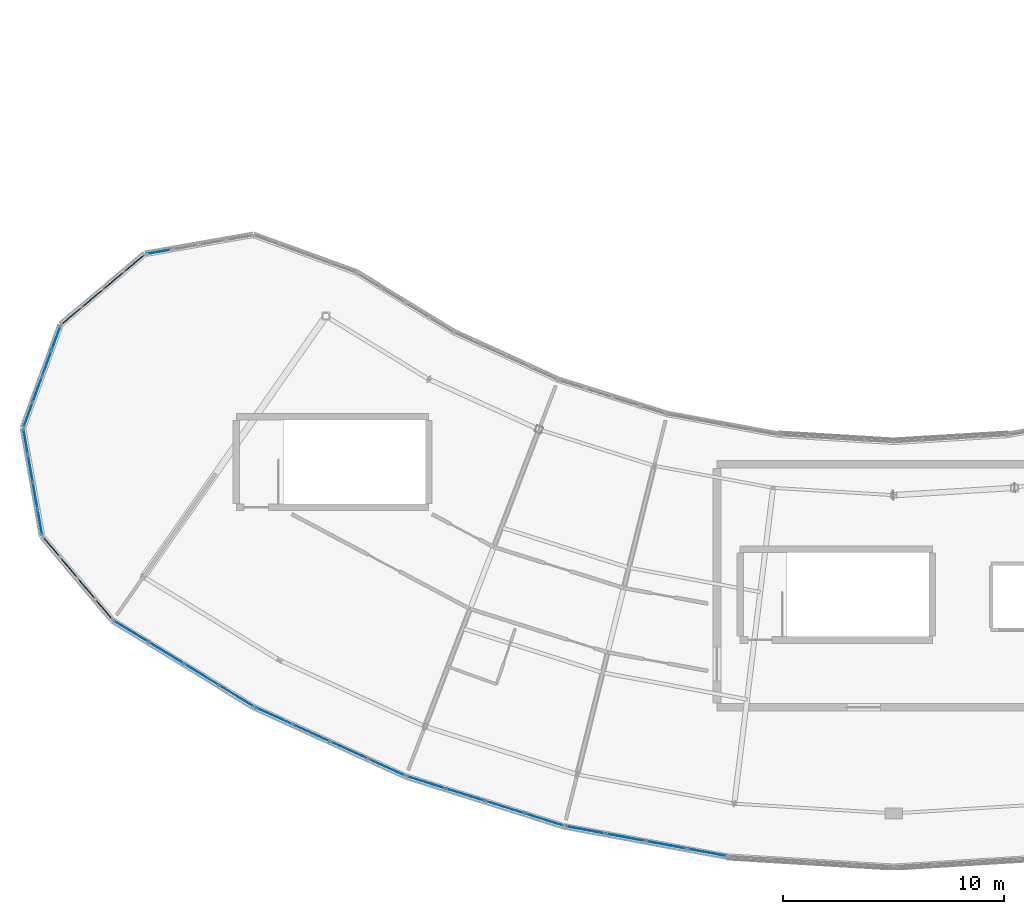
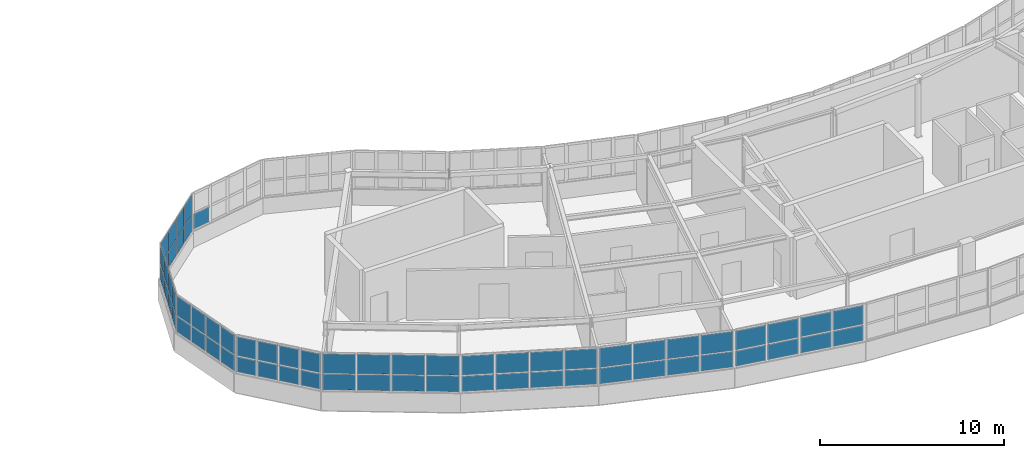
# One storey, part 37 of 60: 65 plates, 9 elements without a shape of their own.
"""IFC4 building model written with IfcOpenShell, lengths in metres."""

from ifc_helpers import new_model, si_unit, direction, frame, origin, origin_2d, place, context, subcontext, project, spatial, rectangle, extrude, material, layer, layer_set, type_object, element, aggregate, save


model = new_model("IFC4")

# Units and contexts
model_context = context("Model", 3, precision=1e-05, world=origin(), true_north=direction((0.0, 1.0)))
body_context = subcontext(model_context, "Body", "Model", "MODEL_VIEW")
ifc_project = project(units=[si_unit("LENGTHUNIT", "METRE"), si_unit("AREAUNIT", "SQUARE_METRE"), si_unit("VOLUMEUNIT", "CUBIC_METRE"), si_unit("PLANEANGLEUNIT", "RADIAN"), si_unit("MASSUNIT", "GRAM", prefix="KILO")], contexts=[model_context])

# Site, building, storey
site_placement = place(None, origin())
site = spatial("IfcSite", under=ifc_project, at=site_placement, CompositionType="ELEMENT")
building_placement = place(site_placement, origin())
building = spatial("IfcBuilding", under=site, at=building_placement, Name="Tarnwether General Hospital", CompositionType="ELEMENT")
storey_placement = place(building_placement, frame((0.0, 0.0, 26.10009765625)))
storey = spatial("IfcBuildingStorey", under=building, at=storey_placement, Name="L06", CompositionType="ELEMENT", Elevation=26.10009765625)

# Curtain wall, plates
ifc_material_1 = material(Name="Anodised aluminium", Category="aluminium")
ifc_layer_1 = layer(ifc_material_1, 0.179931640625)
ifc_layer_set_1 = layer_set([ifc_layer_1], Name="Anodised aluminium")
curtain_wall_type_1 = type_object("IfcCurtainWallType", Name="CW-11", PredefinedType="NOTDEFINED", material=ifc_layer_set_1)
curtain_wall_1_placement = place(storey_placement, origin())
curtain_wall_1 = element("IfcCurtainWall", 1, at=curtain_wall_1_placement, inside=storey, type_object=curtain_wall_type_1, Name="Curtain Wall CWG-L06-699_55-0246", PredefinedType="NOTDEFINED")
ifc_material_2 = material(Name="Double glazed low-E glass", Category="glass")
ifc_layer_2 = layer(ifc_material_2, 0.028076171875)
ifc_layer_set_2 = layer_set([ifc_layer_2], Name="Double glazed low-E glass")
plate_type_1 = type_object("IfcPlateType", Name="PT-CWP1", PredefinedType="CURTAIN_PANEL", material=ifc_layer_set_2)
plate_1_placement = place(storey_placement, frame((69.053466796875, 5.88818359375, 1.1201171875), z_axis=(0.0, 0.0, 1.0), x_axis=(-0.909960793886, 0.414694289316, 0.0)))
plate_1 = element("IfcPlate", 2, at=plate_1_placement, type_object=plate_type_1, Name="CW-11 panel 1.1", PredefinedType="CURTAIN_PANEL", context=body_context, shape_type="SweptSolid", body=[
    extrude(rectangle(XDim=1.775390625, YDim=0.028076171875, at=origin_2d()), origin(), (0.0, 0.0, 1.0), 1.017822265625),
])
plate_2_placement = place(storey_placement, frame((69.053466796875, 5.88818359375, 2.207763671875), z_axis=(0.0, 0.0, 1.0), x_axis=(-0.909960793886, 0.414694289316, 0.0)))
plate_2 = element("IfcPlate", 3, at=plate_2_placement, type_object=plate_type_1, Name="CW-11 panel 1.2", PredefinedType="CURTAIN_PANEL", context=body_context, shape_type="SweptSolid", body=[
    extrude(rectangle(XDim=1.775390625, YDim=0.028076171875, at=origin_2d()), origin(), (0.0, 0.0, 1.0), 1.26708984375),
])
plate_3_placement = place(storey_placement, frame((67.3583984375, 6.66064453125, 1.1201171875), z_axis=(0.0, 0.0, 1.0), x_axis=(-0.909960793886, 0.414694289316, 0.0)))
plate_3 = element("IfcPlate", 4, at=plate_3_placement, type_object=plate_type_1, Name="CW-11 panel 2.1", PredefinedType="CURTAIN_PANEL", context=body_context, shape_type="SweptSolid", body=[
    extrude(rectangle(XDim=1.810302734375, YDim=0.028076171875, at=origin_2d()), origin(), (0.0, 0.0, 1.0), 1.017822265625),
])
plate_4_placement = place(storey_placement, frame((67.3583984375, 6.66064453125, 2.207763671875), z_axis=(0.0, 0.0, 1.0), x_axis=(-0.909960793886, 0.414694289316, 0.0)))
plate_4 = element("IfcPlate", 5, at=plate_4_placement, type_object=plate_type_1, Name="CW-11 panel 2.2", PredefinedType="CURTAIN_PANEL", context=body_context, shape_type="SweptSolid", body=[
    extrude(rectangle(XDim=1.810302734375, YDim=0.028076171875, at=origin_2d()), origin(), (0.0, 0.0, 1.0), 1.26708984375),
])
plate_5_placement = place(storey_placement, frame((65.6474609375, 7.4404296875, 1.1201171875), z_axis=(0.0, 0.0, 1.0), x_axis=(-0.909960793886, 0.414694289316, 0.0)))
plate_5 = element("IfcPlate", 6, at=plate_5_placement, type_object=plate_type_1, Name="CW-11 panel 3.1", PredefinedType="CURTAIN_PANEL", context=body_context, shape_type="SweptSolid", body=[
    extrude(rectangle(XDim=1.810302734375, YDim=0.028076171875, at=origin_2d()), origin(), (0.0, 0.0, 1.0), 1.017822265625),
])
plate_6_placement = place(storey_placement, frame((65.6474609375, 7.4404296875, 2.207763671875), z_axis=(0.0, 0.0, 1.0), x_axis=(-0.909960793886, 0.414694289316, 0.0)))
plate_6 = element("IfcPlate", 7, at=plate_6_placement, type_object=plate_type_1, Name="CW-11 panel 3.2", PredefinedType="CURTAIN_PANEL", context=body_context, shape_type="SweptSolid", body=[
    extrude(rectangle(XDim=1.810302734375, YDim=0.028076171875, at=origin_2d()), origin(), (0.0, 0.0, 1.0), 1.26708984375),
])
plate_7_placement = place(storey_placement, frame((63.952392578125, 8.212890625, 1.1201171875), z_axis=(0.0, 0.0, 1.0), x_axis=(-0.909960793886, 0.414694289316, 0.0)))
plate_7 = element("IfcPlate", 8, at=plate_7_placement, type_object=plate_type_1, Name="CW-11 panel 4.1", PredefinedType="CURTAIN_PANEL", context=body_context, shape_type="SweptSolid", body=[
    extrude(rectangle(XDim=1.775390625, YDim=0.028076171875, at=origin_2d()), origin(), (0.0, 0.0, 1.0), 1.017822265625),
])
plate_8_placement = place(storey_placement, frame((63.952392578125, 8.212890625, 2.207763671875), z_axis=(0.0, 0.0, 1.0), x_axis=(-0.909960793886, 0.414694289316, 0.0)))
plate_8 = element("IfcPlate", 9, at=plate_8_placement, type_object=plate_type_1, Name="CW-11 panel 4.2", PredefinedType="CURTAIN_PANEL", context=body_context, shape_type="SweptSolid", body=[
    extrude(rectangle(XDim=1.775390625, YDim=0.028076171875, at=origin_2d()), origin(), (0.0, 0.0, 1.0), 1.26708984375),
])
aggregate(curtain_wall_1, [plate_1, plate_2, plate_3, plate_4, plate_5, plate_6, plate_7, plate_8])

curtain_wall_2_placement = place(storey_placement, origin())
curtain_wall_2 = element("IfcCurtainWall", 10, at=curtain_wall_2_placement, inside=storey, type_object=curtain_wall_type_1, Name="Curtain Wall CWG-L06-771_32-0247", PredefinedType="NOTDEFINED")
plate_9_placement = place(storey_placement, frame((76.185791015625, 3.517578125, 1.11474609375), z_axis=(0.0, 0.0, 1.0), x_axis=(-0.953741284032, 0.300628613299, 0.0)))
plate_9 = element("IfcPlate", 11, at=plate_9_placement, type_object=plate_type_1, Name="CW-11 panel 1.1", PredefinedType="CURTAIN_PANEL", context=body_context, shape_type="SweptSolid", body=[
    extrude(rectangle(XDim=1.78271484375, YDim=0.028076171875, at=origin_2d()), origin(), (0.0, 0.0, 1.0), 1.025390625),
])
plate_10_placement = place(storey_placement, frame((76.185791015625, 3.517578125, 2.205078125), z_axis=(0.0, 0.0, 1.0), x_axis=(-0.953741284032, 0.300628613299, 0.0)))
plate_10 = element("IfcPlate", 12, at=plate_10_placement, type_object=plate_type_1, Name="CW-11 panel 1.2", PredefinedType="CURTAIN_PANEL", context=body_context, shape_type="SweptSolid", body=[
    extrude(rectangle(XDim=1.78271484375, YDim=0.028076171875, at=origin_2d()), origin(), (0.0, 0.0, 1.0), 1.274658203125),
])
plate_11_placement = place(storey_placement, frame((74.408203125, 4.077880859375, 1.11474609375), z_axis=(0.0, 0.0, 1.0), x_axis=(-0.953741284032, 0.300628613299, 0.0)))
plate_11 = element("IfcPlate", 13, at=plate_11_placement, type_object=plate_type_1, Name="CW-11 panel 2.1", PredefinedType="CURTAIN_PANEL", context=body_context, shape_type="SweptSolid", body=[
    extrude(rectangle(XDim=1.815185546875, YDim=0.028076171875, at=origin_2d()), origin(), (0.0, 0.0, 1.0), 1.025390625),
])
plate_12_placement = place(storey_placement, frame((74.408203125, 4.077880859375, 2.205078125), z_axis=(0.0, 0.0, 1.0), x_axis=(-0.953741284032, 0.300628613299, 0.0)))
plate_12 = element("IfcPlate", 14, at=plate_12_placement, type_object=plate_type_1, Name="CW-11 panel 2.2", PredefinedType="CURTAIN_PANEL", context=body_context, shape_type="SweptSolid", body=[
    extrude(rectangle(XDim=1.815185546875, YDim=0.028076171875, at=origin_2d()), origin(), (0.0, 0.0, 1.0), 1.274658203125),
])
plate_13_placement = place(storey_placement, frame((72.614990234375, 4.64306640625, 1.11474609375), z_axis=(0.0, 0.0, 1.0), x_axis=(-0.953741284032, 0.300628613299, 0.0)))
plate_13 = element("IfcPlate", 15, at=plate_13_placement, type_object=plate_type_1, Name="CW-11 panel 3.1", PredefinedType="CURTAIN_PANEL", context=body_context, shape_type="SweptSolid", body=[
    extrude(rectangle(XDim=1.815185546875, YDim=0.028076171875, at=origin_2d()), origin(), (0.0, 0.0, 1.0), 1.025390625),
])
plate_14_placement = place(storey_placement, frame((72.614990234375, 4.64306640625, 2.205078125), z_axis=(0.0, 0.0, 1.0), x_axis=(-0.953741284032, 0.300628613299, 0.0)))
plate_14 = element("IfcPlate", 16, at=plate_14_placement, type_object=plate_type_1, Name="CW-11 panel 3.2", PredefinedType="CURTAIN_PANEL", context=body_context, shape_type="SweptSolid", body=[
    extrude(rectangle(XDim=1.815185546875, YDim=0.028076171875, at=origin_2d()), origin(), (0.0, 0.0, 1.0), 1.274658203125),
])
plate_15_placement = place(storey_placement, frame((70.837158203125, 5.203369140625, 1.11474609375), z_axis=(0.0, 0.0, 1.0), x_axis=(-0.953741284032, 0.300628613299, 0.0)))
plate_15 = element("IfcPlate", 17, at=plate_15_placement, type_object=plate_type_1, Name="CW-11 panel 4.1", PredefinedType="CURTAIN_PANEL", context=body_context, shape_type="SweptSolid", body=[
    extrude(rectangle(XDim=1.78271484375, YDim=0.028076171875, at=origin_2d()), origin(), (0.0, 0.0, 1.0), 1.025390625),
])
plate_16_placement = place(storey_placement, frame((70.837158203125, 5.203369140625, 2.205078125), z_axis=(0.0, 0.0, 1.0), x_axis=(-0.953741284032, 0.300628613299, 0.0)))
plate_16 = element("IfcPlate", 18, at=plate_16_placement, type_object=plate_type_1, Name="CW-11 panel 4.2", PredefinedType="CURTAIN_PANEL", context=body_context, shape_type="SweptSolid", body=[
    extrude(rectangle(XDim=1.78271484375, YDim=0.028076171875, at=origin_2d()), origin(), (0.0, 0.0, 1.0), 1.274658203125),
])
aggregate(curtain_wall_2, [plate_9, plate_10, plate_11, plate_12, plate_13, plate_14, plate_15, plate_16])

# Curtain wall, plate
ifc_material_3 = material(Name="Anodised aluminium", Category="aluminium")
ifc_layer_3 = layer(ifc_material_3, 0.159912109375)
ifc_layer_set_3 = layer_set([ifc_layer_3], Name="Anodised aluminium")
curtain_wall_type_2 = type_object("IfcCurtainWallType", Name="CW-03", PredefinedType="NOTDEFINED", material=ifc_layer_set_3)
curtain_wall_3_placement = place(storey_placement, origin())
curtain_wall_3 = element("IfcCurtainWall", 19, at=curtain_wall_3_placement, inside=storey, type_object=curtain_wall_type_2, Name="Curtain Wall CWG-L06-581_291-0268", PredefinedType="NOTDEFINED")
plate_17_placement = place(storey_placement, frame((58.74853515625, 29.21630859375, 1.1298828125), z_axis=(0.0, 0.0, 1.0), x_axis=(0.984805834268, 0.173659059054, 0.0)))
plate_17 = element("IfcPlate", 20, at=plate_17_placement, type_object=plate_type_1, Name="CW-03 panel 1.1", PredefinedType="CURTAIN_PANEL", context=body_context, shape_type="SweptSolid", body=[
    extrude(rectangle(XDim=1.122314453125, YDim=0.028076171875, at=origin_2d()), origin(), (0.0, 0.0, 1.0), 1.002685546875),
])
aggregate(curtain_wall_3, [plate_17])

# Curtain wall, plates
curtain_wall_4_placement = place(storey_placement, origin())
curtain_wall_4 = element("IfcCurtainWall", 21, at=curtain_wall_4_placement, inside=storey, type_object=curtain_wall_type_2, Name="Curtain Wall CWG-L06-526_212-0270", PredefinedType="NOTDEFINED")
plate_18_placement = place(storey_placement, frame((52.829345703125, 21.841064453125, 1.1201171875), z_axis=(0.0, 0.0, 1.0), x_axis=(0.341953136469, 0.939717006582, 0.0)))
plate_18 = element("IfcPlate", 22, at=plate_18_placement, type_object=plate_type_1, Name="CW-03 panel 1.1", PredefinedType="CURTAIN_PANEL", context=body_context, shape_type="SweptSolid", body=[
    extrude(rectangle(XDim=1.13720703125, YDim=0.028076171875, at=origin_2d()), origin(), (0.0, 0.0, 1.0), 1.017822265625),
])
plate_19_placement = place(storey_placement, frame((52.829345703125, 21.841064453125, 2.207763671875), z_axis=(0.0, 0.0, 1.0), x_axis=(0.341953136469, 0.939717006582, 0.0)))
plate_19 = element("IfcPlate", 23, at=plate_19_placement, type_object=plate_type_1, Name="CW-03 panel 1.2", PredefinedType="CURTAIN_PANEL", context=body_context, shape_type="SweptSolid", body=[
    extrude(rectangle(XDim=1.13720703125, YDim=0.028076171875, at=origin_2d()), origin(), (0.0, 0.0, 1.0), 1.26708984375),
])
plate_20_placement = place(storey_placement, frame((53.248046875, 22.991943359375, 1.1201171875), z_axis=(0.0, 0.0, 1.0), x_axis=(0.341953136469, 0.939717006582, 0.0)))
plate_20 = element("IfcPlate", 24, at=plate_20_placement, type_object=plate_type_1, Name="CW-03 panel 2.1", PredefinedType="CURTAIN_PANEL", context=body_context, shape_type="SweptSolid", body=[
    extrude(rectangle(XDim=1.172119140625, YDim=0.028076171875, at=origin_2d()), origin(), (0.0, 0.0, 1.0), 1.017822265625),
])
plate_21_placement = place(storey_placement, frame((53.248046875, 22.991943359375, 2.207763671875), z_axis=(0.0, 0.0, 1.0), x_axis=(0.341953136469, 0.939717006582, 0.0)))
plate_21 = element("IfcPlate", 25, at=plate_21_placement, type_object=plate_type_1, Name="CW-03 panel 2.2", PredefinedType="CURTAIN_PANEL", context=body_context, shape_type="SweptSolid", body=[
    extrude(rectangle(XDim=1.172119140625, YDim=0.028076171875, at=origin_2d()), origin(), (0.0, 0.0, 1.0), 1.26708984375),
])
plate_22_placement = place(storey_placement, frame((53.6728515625, 24.1591796875, 1.1201171875), z_axis=(0.0, 0.0, 1.0), x_axis=(0.341953136469, 0.939717006582, 0.0)))
plate_22 = element("IfcPlate", 26, at=plate_22_placement, type_object=plate_type_1, Name="CW-03 panel 3.1", PredefinedType="CURTAIN_PANEL", context=body_context, shape_type="SweptSolid", body=[
    extrude(rectangle(XDim=1.172119140625, YDim=0.028076171875, at=origin_2d()), origin(), (0.0, 0.0, 1.0), 1.017822265625),
])
plate_23_placement = place(storey_placement, frame((53.6728515625, 24.1591796875, 2.207763671875), z_axis=(0.0, 0.0, 1.0), x_axis=(0.341953136469, 0.939717006582, 0.0)))
plate_23 = element("IfcPlate", 27, at=plate_23_placement, type_object=plate_type_1, Name="CW-03 panel 3.2", PredefinedType="CURTAIN_PANEL", context=body_context, shape_type="SweptSolid", body=[
    extrude(rectangle(XDim=1.172119140625, YDim=0.028076171875, at=origin_2d()), origin(), (0.0, 0.0, 1.0), 1.26708984375),
])
plate_24_placement = place(storey_placement, frame((54.091552734375, 25.309814453125, 1.1201171875), z_axis=(0.0, 0.0, 1.0), x_axis=(0.341953136469, 0.939717006582, 0.0)))
plate_24 = element("IfcPlate", 28, at=plate_24_placement, type_object=plate_type_1, Name="CW-03 panel 4.1", PredefinedType="CURTAIN_PANEL", context=body_context, shape_type="SweptSolid", body=[
    extrude(rectangle(XDim=1.13720703125, YDim=0.028076171875, at=origin_2d()), origin(), (0.0, 0.0, 1.0), 1.017822265625),
])
plate_25_placement = place(storey_placement, frame((54.091552734375, 25.309814453125, 2.207763671875), z_axis=(0.0, 0.0, 1.0), x_axis=(0.341953136469, 0.939717006582, 0.0)))
plate_25 = element("IfcPlate", 29, at=plate_25_placement, type_object=plate_type_1, Name="CW-03 panel 4.2", PredefinedType="CURTAIN_PANEL", context=body_context, shape_type="SweptSolid", body=[
    extrude(rectangle(XDim=1.13720703125, YDim=0.028076171875, at=origin_2d()), origin(), (0.0, 0.0, 1.0), 1.26708984375),
])
aggregate(curtain_wall_4, [plate_18, plate_19, plate_20, plate_21, plate_22, plate_23, plate_24, plate_25])

curtain_wall_5_placement = place(storey_placement, origin())
curtain_wall_5 = element("IfcCurtainWall", 30, at=curtain_wall_5_placement, inside=storey, type_object=curtain_wall_type_2, Name="Curtain Wall CWG-L06-535_163-0271", PredefinedType="NOTDEFINED")
plate_26_placement = place(storey_placement, frame((53.362548828125, 16.974853515625, 1.11474609375), z_axis=(0.0, 0.0, 1.0), x_axis=(-0.173463890135, 0.984840230098, 0.0)))
plate_26 = element("IfcPlate", 31, at=plate_26_placement, type_object=plate_type_1, Name="CW-03 panel 1.1", PredefinedType="CURTAIN_PANEL", context=body_context, shape_type="SweptSolid", body=[
    extrude(rectangle(XDim=1.144775390625, YDim=0.028076171875, at=origin_2d()), origin(), (0.0, 0.0, 1.0), 1.025390625),
])
plate_27_placement = place(storey_placement, frame((53.362548828125, 16.974853515625, 2.205078125), z_axis=(0.0, 0.0, 1.0), x_axis=(-0.173463890135, 0.984840230098, 0.0)))
plate_27 = element("IfcPlate", 32, at=plate_27_placement, type_object=plate_type_1, Name="CW-03 panel 1.2", PredefinedType="CURTAIN_PANEL", context=body_context, shape_type="SweptSolid", body=[
    extrude(rectangle(XDim=1.144775390625, YDim=0.028076171875, at=origin_2d()), origin(), (0.0, 0.0, 1.0), 1.274658203125),
])
plate_28_placement = place(storey_placement, frame((53.149658203125, 18.18212890625, 1.11474609375), z_axis=(0.0, 0.0, 1.0), x_axis=(-0.173463890135, 0.984840230098, 0.0)))
plate_28 = element("IfcPlate", 33, at=plate_28_placement, type_object=plate_type_1, Name="CW-03 panel 2.1", PredefinedType="CURTAIN_PANEL", context=body_context, shape_type="SweptSolid", body=[
    extrude(rectangle(XDim=1.17724609375, YDim=0.028076171875, at=origin_2d()), origin(), (0.0, 0.0, 1.0), 1.025390625),
])
plate_29_placement = place(storey_placement, frame((53.149658203125, 18.18212890625, 2.205078125), z_axis=(0.0, 0.0, 1.0), x_axis=(-0.173463890135, 0.984840230098, 0.0)))
plate_29 = element("IfcPlate", 34, at=plate_29_placement, type_object=plate_type_1, Name="CW-03 panel 2.2", PredefinedType="CURTAIN_PANEL", context=body_context, shape_type="SweptSolid", body=[
    extrude(rectangle(XDim=1.17724609375, YDim=0.028076171875, at=origin_2d()), origin(), (0.0, 0.0, 1.0), 1.274658203125),
])
plate_30_placement = place(storey_placement, frame((52.934326171875, 19.40576171875, 1.11474609375), z_axis=(0.0, 0.0, 1.0), x_axis=(-0.173463890135, 0.984840230098, 0.0)))
plate_30 = element("IfcPlate", 35, at=plate_30_placement, type_object=plate_type_1, Name="CW-03 panel 3.1", PredefinedType="CURTAIN_PANEL", context=body_context, shape_type="SweptSolid", body=[
    extrude(rectangle(XDim=1.17724609375, YDim=0.028076171875, at=origin_2d()), origin(), (0.0, 0.0, 1.0), 1.025390625),
])
plate_31_placement = place(storey_placement, frame((52.934326171875, 19.40576171875, 2.205078125), z_axis=(0.0, 0.0, 1.0), x_axis=(-0.173463890135, 0.984840230098, 0.0)))
plate_31 = element("IfcPlate", 36, at=plate_31_placement, type_object=plate_type_1, Name="CW-03 panel 3.2", PredefinedType="CURTAIN_PANEL", context=body_context, shape_type="SweptSolid", body=[
    extrude(rectangle(XDim=1.17724609375, YDim=0.028076171875, at=origin_2d()), origin(), (0.0, 0.0, 1.0), 1.274658203125),
])
plate_32_placement = place(storey_placement, frame((52.7216796875, 20.61328125, 1.11474609375), z_axis=(0.0, 0.0, 1.0), x_axis=(-0.173463890135, 0.984840230098, 0.0)))
plate_32 = element("IfcPlate", 37, at=plate_32_placement, type_object=plate_type_1, Name="CW-03 panel 4.1", PredefinedType="CURTAIN_PANEL", context=body_context, shape_type="SweptSolid", body=[
    extrude(rectangle(XDim=1.144775390625, YDim=0.028076171875, at=origin_2d()), origin(), (0.0, 0.0, 1.0), 1.025390625),
])
plate_33_placement = place(storey_placement, frame((52.7216796875, 20.61328125, 2.205078125), z_axis=(0.0, 0.0, 1.0), x_axis=(-0.173463890135, 0.984840230098, 0.0)))
plate_33 = element("IfcPlate", 38, at=plate_33_placement, type_object=plate_type_1, Name="CW-03 panel 4.2", PredefinedType="CURTAIN_PANEL", context=body_context, shape_type="SweptSolid", body=[
    extrude(rectangle(XDim=1.144775390625, YDim=0.028076171875, at=origin_2d()), origin(), (0.0, 0.0, 1.0), 1.274658203125),
])
aggregate(curtain_wall_5, [plate_26, plate_27, plate_28, plate_29, plate_30, plate_31, plate_32, plate_33])

curtain_wall_6_placement = place(storey_placement, origin())
curtain_wall_6 = element("IfcCurtainWall", 39, at=curtain_wall_6_placement, inside=storey, type_object=curtain_wall_type_1, Name="Curtain Wall CWG-L06-631_86-0245", PredefinedType="NOTDEFINED")
ifc_material_4 = material(Name="Double glazed low-E glass", Category="glass")
ifc_layer_4 = layer(ifc_material_4, 0.035888671875)
ifc_layer_set_4 = layer_set([ifc_layer_4], Name="Double glazed low-E glass")
plate_type_2 = type_object("IfcPlateType", Name="PT-CWP2", PredefinedType="CURTAIN_PANEL", material=ifc_layer_set_4)
plate_34_placement = place(storey_placement, frame((62.2666015625, 9.109130859375, 1.10986328125), z_axis=(0.0, 0.0, 1.0), x_axis=(-0.852633734977, 0.522509056361, 0.0)))
plate_34 = element("IfcPlate", 40, at=plate_34_placement, type_object=plate_type_2, Name="CW-11 panel 1.1", PredefinedType="CURTAIN_PANEL", context=body_context, shape_type="SweptSolid", body=[
    extrude(rectangle(XDim=1.790283203125, YDim=0.035888671875, at=origin_2d()), origin(), (0.0, 0.0, 1.0), 1.03271484375),
])
plate_35_placement = place(storey_placement, frame((62.2666015625, 9.109130859375, 2.20263671875), z_axis=(0.0, 0.0, 1.0), x_axis=(-0.852633734977, 0.522509056361, 0.0)))
plate_35 = element("IfcPlate", 41, at=plate_35_placement, type_object=plate_type_2, Name="CW-11 panel 1.2", PredefinedType="CURTAIN_PANEL", context=body_context, shape_type="SweptSolid", body=[
    extrude(rectangle(XDim=1.790283203125, YDim=0.035888671875, at=origin_2d()), origin(), (0.0, 0.0, 1.0), 1.2822265625),
])
plate_36_placement = place(storey_placement, frame((60.676025390625, 10.083740234375, 1.10986328125), z_axis=(0.0, 0.0, 1.0), x_axis=(-0.852633734977, 0.522509056361, 0.0)))
plate_36 = element("IfcPlate", 42, at=plate_36_placement, type_object=plate_type_2, Name="CW-11 panel 2.1", PredefinedType="CURTAIN_PANEL", context=body_context, shape_type="SweptSolid", body=[
    extrude(rectangle(XDim=1.8203125, YDim=0.035888671875, at=origin_2d()), origin(), (0.0, 0.0, 1.0), 1.03271484375),
])
plate_37_placement = place(storey_placement, frame((60.676025390625, 10.083740234375, 2.20263671875), z_axis=(0.0, 0.0, 1.0), x_axis=(-0.852633734977, 0.522509056361, 0.0)))
plate_37 = element("IfcPlate", 43, at=plate_37_placement, type_object=plate_type_2, Name="CW-11 panel 2.2", PredefinedType="CURTAIN_PANEL", context=body_context, shape_type="SweptSolid", body=[
    extrude(rectangle(XDim=1.8203125, YDim=0.035888671875, at=origin_2d()), origin(), (0.0, 0.0, 1.0), 1.2822265625),
])
plate_38_placement = place(storey_placement, frame((59.07275390625, 11.066162109375, 1.10986328125), z_axis=(0.0, 0.0, 1.0), x_axis=(-0.852633734977, 0.522509056361, 0.0)))
plate_38 = element("IfcPlate", 44, at=plate_38_placement, type_object=plate_type_2, Name="CW-11 panel 3.1", PredefinedType="CURTAIN_PANEL", context=body_context, shape_type="SweptSolid", body=[
    extrude(rectangle(XDim=1.8203125, YDim=0.035888671875, at=origin_2d()), origin(), (0.0, 0.0, 1.0), 1.03271484375),
])
plate_39_placement = place(storey_placement, frame((59.07275390625, 11.066162109375, 2.20263671875), z_axis=(0.0, 0.0, 1.0), x_axis=(-0.852633734977, 0.522509056361, 0.0)))
plate_39 = element("IfcPlate", 45, at=plate_39_placement, type_object=plate_type_2, Name="CW-11 panel 3.2", PredefinedType="CURTAIN_PANEL", context=body_context, shape_type="SweptSolid", body=[
    extrude(rectangle(XDim=1.8203125, YDim=0.035888671875, at=origin_2d()), origin(), (0.0, 0.0, 1.0), 1.2822265625),
])
plate_40_placement = place(storey_placement, frame((57.482421875, 12.041015625, 1.10986328125), z_axis=(0.0, 0.0, 1.0), x_axis=(-0.852633734977, 0.522509056361, 0.0)))
plate_40 = element("IfcPlate", 46, at=plate_40_placement, type_object=plate_type_2, Name="CW-11 panel 4.1", PredefinedType="CURTAIN_PANEL", context=body_context, shape_type="SweptSolid", body=[
    extrude(rectangle(XDim=1.790283203125, YDim=0.035888671875, at=origin_2d()), origin(), (0.0, 0.0, 1.0), 1.03271484375),
])
plate_41_placement = place(storey_placement, frame((57.482421875, 12.041015625, 2.20263671875), z_axis=(0.0, 0.0, 1.0), x_axis=(-0.852633734977, 0.522509056361, 0.0)))
plate_41 = element("IfcPlate", 47, at=plate_41_placement, type_object=plate_type_2, Name="CW-11 panel 4.2", PredefinedType="CURTAIN_PANEL", context=body_context, shape_type="SweptSolid", body=[
    extrude(rectangle(XDim=1.790283203125, YDim=0.035888671875, at=origin_2d()), origin(), (0.0, 0.0, 1.0), 1.2822265625),
])
aggregate(curtain_wall_6, [plate_34, plate_35, plate_36, plate_37, plate_38, plate_39, plate_40, plate_41])

curtain_wall_7_placement = place(storey_placement, origin())
curtain_wall_7 = element("IfcCurtainWall", 48, at=curtain_wall_7_placement, inside=storey, type_object=curtain_wall_type_1, Name="Curtain Wall CWG-L06-845_19-0248", PredefinedType="NOTDEFINED")
plate_42_placement = place(storey_placement, frame((83.549072265625, 2.033935546875, 1.1298828125), z_axis=(0.0, 0.0, 1.0), x_axis=(-0.983244953132, 0.182289226614, 0.0)))
plate_42 = element("IfcPlate", 49, at=plate_42_placement, type_object=plate_type_2, Name="CW-11 panel 1.1", PredefinedType="CURTAIN_PANEL", context=body_context, shape_type="SweptSolid", body=[
    extrude(rectangle(XDim=1.76025390625, YDim=0.035888671875, at=origin_2d()), origin(), (0.0, 0.0, 1.0), 1.002685546875),
])
plate_43_placement = place(storey_placement, frame((83.549072265625, 2.033935546875, 2.212890625), z_axis=(0.0, 0.0, 1.0), x_axis=(-0.983244953132, 0.182289226614, 0.0)))
plate_43 = element("IfcPlate", 50, at=plate_43_placement, type_object=plate_type_2, Name="CW-11 panel 1.2", PredefinedType="CURTAIN_PANEL", context=body_context, shape_type="SweptSolid", body=[
    extrude(rectangle(XDim=1.76025390625, YDim=0.035888671875, at=origin_2d()), origin(), (0.0, 0.0, 1.0), 1.252197265625),
])
plate_44_placement = place(storey_placement, frame((81.719970703125, 2.373046875, 1.1298828125), z_axis=(0.0, 0.0, 1.0), x_axis=(-0.983244953132, 0.182289226614, 0.0)))
plate_44 = element("IfcPlate", 51, at=plate_44_placement, type_object=plate_type_2, Name="CW-11 panel 2.1", PredefinedType="CURTAIN_PANEL", context=body_context, shape_type="SweptSolid", body=[
    extrude(rectangle(XDim=1.80029296875, YDim=0.035888671875, at=origin_2d()), origin(), (0.0, 0.0, 1.0), 1.002685546875),
])
plate_45_placement = place(storey_placement, frame((81.719970703125, 2.373046875, 2.212890625), z_axis=(0.0, 0.0, 1.0), x_axis=(-0.983244953132, 0.182289226614, 0.0)))
plate_45 = element("IfcPlate", 52, at=plate_45_placement, type_object=plate_type_2, Name="CW-11 panel 2.2", PredefinedType="CURTAIN_PANEL", context=body_context, shape_type="SweptSolid", body=[
    extrude(rectangle(XDim=1.80029296875, YDim=0.035888671875, at=origin_2d()), origin(), (0.0, 0.0, 1.0), 1.252197265625),
])
plate_46_placement = place(storey_placement, frame((79.87109375, 2.7158203125, 1.1298828125), z_axis=(0.0, 0.0, 1.0), x_axis=(-0.983244953132, 0.182289226614, 0.0)))
plate_46 = element("IfcPlate", 53, at=plate_46_placement, type_object=plate_type_2, Name="CW-11 panel 3.1", PredefinedType="CURTAIN_PANEL", context=body_context, shape_type="SweptSolid", body=[
    extrude(rectangle(XDim=1.80029296875, YDim=0.035888671875, at=origin_2d()), origin(), (0.0, 0.0, 1.0), 1.002685546875),
])
plate_47_placement = place(storey_placement, frame((79.87109375, 2.7158203125, 2.212890625), z_axis=(0.0, 0.0, 1.0), x_axis=(-0.983244953132, 0.182289226614, 0.0)))
plate_47 = element("IfcPlate", 54, at=plate_47_placement, type_object=plate_type_2, Name="CW-11 panel 3.2", PredefinedType="CURTAIN_PANEL", context=body_context, shape_type="SweptSolid", body=[
    extrude(rectangle(XDim=1.80029296875, YDim=0.035888671875, at=origin_2d()), origin(), (0.0, 0.0, 1.0), 1.252197265625),
])
plate_48_placement = place(storey_placement, frame((78.0419921875, 3.054931640625, 1.1298828125), z_axis=(0.0, 0.0, 1.0), x_axis=(-0.983244953132, 0.182289226614, 0.0)))
plate_48 = element("IfcPlate", 55, at=plate_48_placement, type_object=plate_type_2, Name="CW-11 panel 4.1", PredefinedType="CURTAIN_PANEL", context=body_context, shape_type="SweptSolid", body=[
    extrude(rectangle(XDim=1.76025390625, YDim=0.035888671875, at=origin_2d()), origin(), (0.0, 0.0, 1.0), 1.002685546875),
])
plate_49_placement = place(storey_placement, frame((78.0419921875, 3.054931640625, 2.212890625), z_axis=(0.0, 0.0, 1.0), x_axis=(-0.983244953132, 0.182289226614, 0.0)))
plate_49 = element("IfcPlate", 56, at=plate_49_placement, type_object=plate_type_2, Name="CW-11 panel 4.2", PredefinedType="CURTAIN_PANEL", context=body_context, shape_type="SweptSolid", body=[
    extrude(rectangle(XDim=1.76025390625, YDim=0.035888671875, at=origin_2d()), origin(), (0.0, 0.0, 1.0), 1.252197265625),
])
aggregate(curtain_wall_7, [plate_42, plate_43, plate_44, plate_45, plate_46, plate_47, plate_48, plate_49])

curtain_wall_8_placement = place(storey_placement, origin())
curtain_wall_8 = element("IfcCurtainWall", 57, at=curtain_wall_8_placement, inside=storey, type_object=curtain_wall_type_2, Name="Curtain Wall CWG-L06-543_259-0269", PredefinedType="NOTDEFINED")
plate_50_placement = place(storey_placement, frame((54.79736328125, 26.319091796875, 1.10986328125), z_axis=(0.0, 0.0, 1.0), x_axis=(0.765990176896, 0.64285227611, 0.0)))
plate_50 = element("IfcPlate", 58, at=plate_50_placement, type_object=plate_type_2, Name="CW-03 panel 1.1", PredefinedType="CURTAIN_PANEL", context=body_context, shape_type="SweptSolid", body=[
    extrude(rectangle(XDim=1.152587890625, YDim=0.035888671875, at=origin_2d()), origin(), (0.0, 0.0, 1.0), 1.03271484375),
])
plate_51_placement = place(storey_placement, frame((54.79736328125, 26.319091796875, 2.20263671875), z_axis=(0.0, 0.0, 1.0), x_axis=(0.765990176896, 0.64285227611, 0.0)))
plate_51 = element("IfcPlate", 59, at=plate_51_placement, type_object=plate_type_2, Name="CW-03 panel 1.2", PredefinedType="CURTAIN_PANEL", context=body_context, shape_type="SweptSolid", body=[
    extrude(rectangle(XDim=1.152587890625, YDim=0.035888671875, at=origin_2d()), origin(), (0.0, 0.0, 1.0), 1.2822265625),
])
plate_52_placement = place(storey_placement, frame((55.737548828125, 27.108154296875, 1.10986328125), z_axis=(0.0, 0.0, 1.0), x_axis=(0.765990176896, 0.64285227611, 0.0)))
plate_52 = element("IfcPlate", 60, at=plate_52_placement, type_object=plate_type_2, Name="CW-03 panel 2.1", PredefinedType="CURTAIN_PANEL", context=body_context, shape_type="SweptSolid", body=[
    extrude(rectangle(XDim=1.1826171875, YDim=0.035888671875, at=origin_2d()), origin(), (0.0, 0.0, 1.0), 1.03271484375),
])
plate_53_placement = place(storey_placement, frame((55.737548828125, 27.108154296875, 2.20263671875), z_axis=(0.0, 0.0, 1.0), x_axis=(0.765990176896, 0.64285227611, 0.0)))
plate_53 = element("IfcPlate", 61, at=plate_53_placement, type_object=plate_type_2, Name="CW-03 panel 2.2", PredefinedType="CURTAIN_PANEL", context=body_context, shape_type="SweptSolid", body=[
    extrude(rectangle(XDim=1.1826171875, YDim=0.035888671875, at=origin_2d()), origin(), (0.0, 0.0, 1.0), 1.2822265625),
])
plate_54_placement = place(storey_placement, frame((56.689453125, 27.906982421875, 1.10986328125), z_axis=(0.0, 0.0, 1.0), x_axis=(0.765990176896, 0.64285227611, 0.0)))
plate_54 = element("IfcPlate", 62, at=plate_54_placement, type_object=plate_type_2, Name="CW-03 panel 3.1", PredefinedType="CURTAIN_PANEL", context=body_context, shape_type="SweptSolid", body=[
    extrude(rectangle(XDim=1.1826171875, YDim=0.035888671875, at=origin_2d()), origin(), (0.0, 0.0, 1.0), 1.03271484375),
])
plate_55_placement = place(storey_placement, frame((56.689453125, 27.906982421875, 2.20263671875), z_axis=(0.0, 0.0, 1.0), x_axis=(0.765990176896, 0.64285227611, 0.0)))
plate_55 = element("IfcPlate", 63, at=plate_55_placement, type_object=plate_type_2, Name="CW-03 panel 3.2", PredefinedType="CURTAIN_PANEL", context=body_context, shape_type="SweptSolid", body=[
    extrude(rectangle(XDim=1.1826171875, YDim=0.035888671875, at=origin_2d()), origin(), (0.0, 0.0, 1.0), 1.2822265625),
])
plate_56_placement = place(storey_placement, frame((57.629638671875, 28.696044921875, 1.10986328125), z_axis=(0.0, 0.0, 1.0), x_axis=(0.765990176896, 0.64285227611, 0.0)))
plate_56 = element("IfcPlate", 64, at=plate_56_placement, type_object=plate_type_2, Name="CW-03 panel 4.1", PredefinedType="CURTAIN_PANEL", context=body_context, shape_type="SweptSolid", body=[
    extrude(rectangle(XDim=1.152587890625, YDim=0.035888671875, at=origin_2d()), origin(), (0.0, 0.0, 1.0), 1.03271484375),
])
plate_57_placement = place(storey_placement, frame((57.629638671875, 28.696044921875, 2.20263671875), z_axis=(0.0, 0.0, 1.0), x_axis=(0.765990176896, 0.64285227611, 0.0)))
plate_57 = element("IfcPlate", 65, at=plate_57_placement, type_object=plate_type_2, Name="CW-03 panel 4.2", PredefinedType="CURTAIN_PANEL", context=body_context, shape_type="SweptSolid", body=[
    extrude(rectangle(XDim=1.152587890625, YDim=0.035888671875, at=origin_2d()), origin(), (0.0, 0.0, 1.0), 1.2822265625),
])
aggregate(curtain_wall_8, [plate_50, plate_51, plate_52, plate_53, plate_54, plate_55, plate_56, plate_57])

curtain_wall_9_placement = place(storey_placement, origin())
curtain_wall_9 = element("IfcCurtainWall", 66, at=curtain_wall_9_placement, inside=storey, type_object=curtain_wall_type_2, Name="Curtain Wall CWG-L06-567_125-0272", PredefinedType="NOTDEFINED")
plate_58_placement = place(storey_placement, frame((56.255859375, 13.03125, 1.1298828125), z_axis=(0.0, 0.0, 1.0), x_axis=(-0.64285227611, 0.765990176896, 0.0)))
plate_58 = element("IfcPlate", 67, at=plate_58_placement, type_object=plate_type_2, Name="CW-03 panel 1.1", PredefinedType="CURTAIN_PANEL", context=body_context, shape_type="SweptSolid", body=[
    extrude(rectangle(XDim=1.12255859375, YDim=0.035888671875, at=origin_2d()), origin(), (0.0, 0.0, 1.0), 1.002685546875),
])
plate_59_placement = place(storey_placement, frame((56.255859375, 13.03125, 2.212890625), z_axis=(0.0, 0.0, 1.0), x_axis=(-0.64285227611, 0.765990176896, 0.0)))
plate_59 = element("IfcPlate", 68, at=plate_59_placement, type_object=plate_type_2, Name="CW-03 panel 1.2", PredefinedType="CURTAIN_PANEL", context=body_context, shape_type="SweptSolid", body=[
    extrude(rectangle(XDim=1.12255859375, YDim=0.035888671875, at=origin_2d()), origin(), (0.0, 0.0, 1.0), 1.252197265625),
])
plate_60_placement = place(storey_placement, frame((55.469970703125, 13.967529296875, 1.1298828125), z_axis=(0.0, 0.0, 1.0), x_axis=(-0.64285227611, 0.765990176896, 0.0)))
plate_60 = element("IfcPlate", 69, at=plate_60_placement, type_object=plate_type_2, Name="CW-03 panel 2.1", PredefinedType="CURTAIN_PANEL", context=body_context, shape_type="SweptSolid", body=[
    extrude(rectangle(XDim=1.16259765625, YDim=0.035888671875, at=origin_2d()), origin(), (0.0, 0.0, 1.0), 1.002685546875),
])
plate_61_placement = place(storey_placement, frame((55.469970703125, 13.967529296875, 2.212890625), z_axis=(0.0, 0.0, 1.0), x_axis=(-0.64285227611, 0.765990176896, 0.0)))
plate_61 = element("IfcPlate", 70, at=plate_61_placement, type_object=plate_type_2, Name="CW-03 panel 2.2", PredefinedType="CURTAIN_PANEL", context=body_context, shape_type="SweptSolid", body=[
    extrude(rectangle(XDim=1.16259765625, YDim=0.035888671875, at=origin_2d()), origin(), (0.0, 0.0, 1.0), 1.252197265625),
])
plate_62_placement = place(storey_placement, frame((54.671142578125, 14.91943359375, 1.1298828125), z_axis=(0.0, 0.0, 1.0), x_axis=(-0.64285227611, 0.765990176896, 0.0)))
plate_62 = element("IfcPlate", 71, at=plate_62_placement, type_object=plate_type_2, Name="CW-03 panel 3.1", PredefinedType="CURTAIN_PANEL", context=body_context, shape_type="SweptSolid", body=[
    extrude(rectangle(XDim=1.16259765625, YDim=0.035888671875, at=origin_2d()), origin(), (0.0, 0.0, 1.0), 1.002685546875),
])
plate_63_placement = place(storey_placement, frame((54.671142578125, 14.91943359375, 2.212890625), z_axis=(0.0, 0.0, 1.0), x_axis=(-0.64285227611, 0.765990176896, 0.0)))
plate_63 = element("IfcPlate", 72, at=plate_63_placement, type_object=plate_type_2, Name="CW-03 panel 3.2", PredefinedType="CURTAIN_PANEL", context=body_context, shape_type="SweptSolid", body=[
    extrude(rectangle(XDim=1.16259765625, YDim=0.035888671875, at=origin_2d()), origin(), (0.0, 0.0, 1.0), 1.252197265625),
])
plate_64_placement = place(storey_placement, frame((53.88525390625, 15.855712890625, 1.1298828125), z_axis=(0.0, 0.0, 1.0), x_axis=(-0.64285227611, 0.765990176896, 0.0)))
plate_64 = element("IfcPlate", 73, at=plate_64_placement, type_object=plate_type_2, Name="CW-03 panel 4.1", PredefinedType="CURTAIN_PANEL", context=body_context, shape_type="SweptSolid", body=[
    extrude(rectangle(XDim=1.12255859375, YDim=0.035888671875, at=origin_2d()), origin(), (0.0, 0.0, 1.0), 1.002685546875),
])
plate_65_placement = place(storey_placement, frame((53.88525390625, 15.855712890625, 2.212890625), z_axis=(0.0, 0.0, 1.0), x_axis=(-0.64285227611, 0.765990176896, 0.0)))
plate_65 = element("IfcPlate", 74, at=plate_65_placement, type_object=plate_type_2, Name="CW-03 panel 4.2", PredefinedType="CURTAIN_PANEL", context=body_context, shape_type="SweptSolid", body=[
    extrude(rectangle(XDim=1.12255859375, YDim=0.035888671875, at=origin_2d()), origin(), (0.0, 0.0, 1.0), 1.252197265625),
])
aggregate(curtain_wall_9, [plate_58, plate_59, plate_60, plate_61, plate_62, plate_63, plate_64, plate_65])

save(model, "model.ifc")
